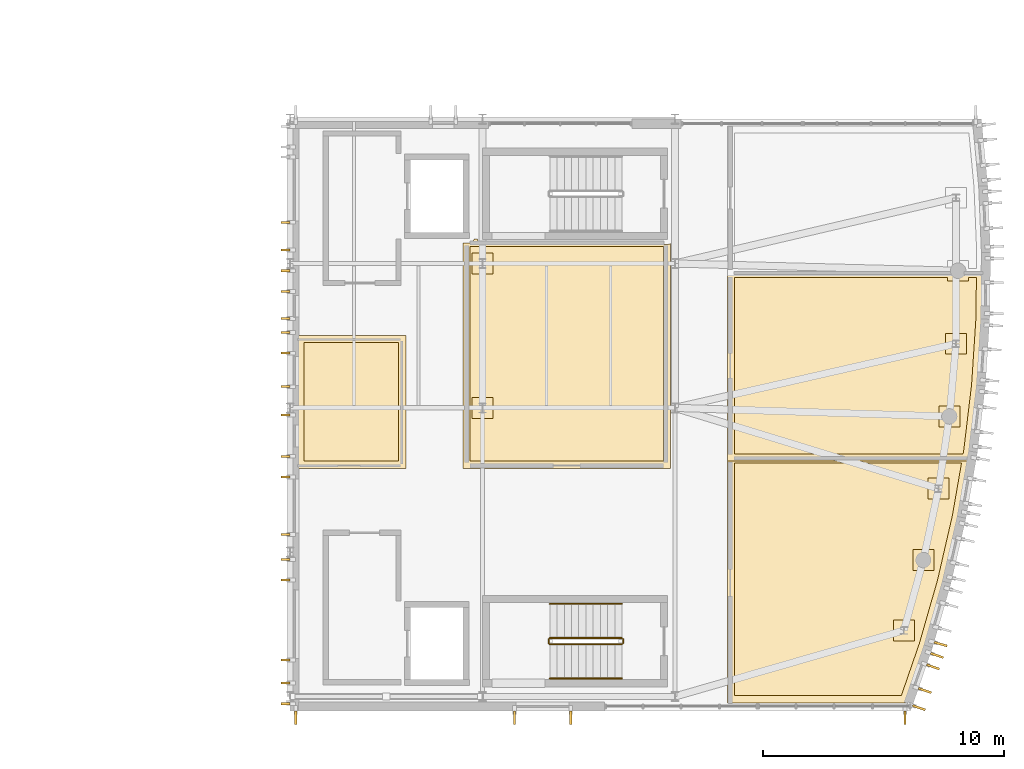
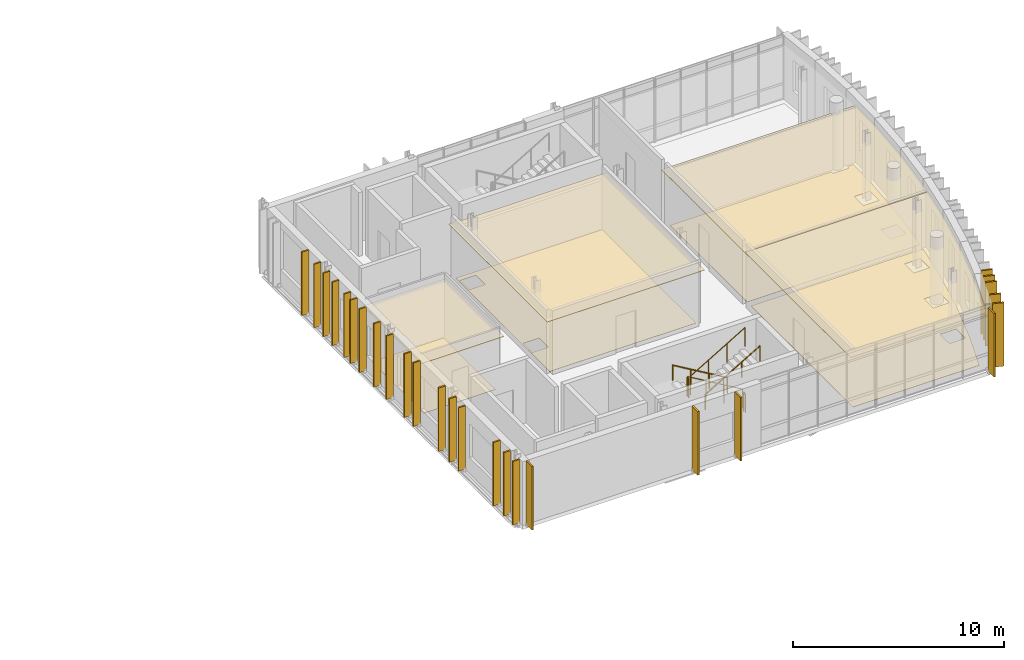
# One storey, part 26 of 28: 34 coverings, 6 railings.
"""IFC4 building model written with IfcOpenShell, lengths in metres."""

from ifc_helpers import new_model, si_unit, direction, frame, origin, origin_2d, place, context, subcontext, project, spatial, polyline, rectangle, circle, outline, extrude, material, layer, layer_set, type_object, element, save


model = new_model("IFC4")

# Units and contexts
model_context = context("Model", 3, precision=1e-05, world=origin(), true_north=direction((0.0, 1.0)))
body_context = subcontext(model_context, "Body", "Model", "MODEL_VIEW")
ifc_project = project(units=[si_unit("LENGTHUNIT", "METRE"), si_unit("AREAUNIT", "SQUARE_METRE"), si_unit("VOLUMEUNIT", "CUBIC_METRE"), si_unit("PLANEANGLEUNIT", "RADIAN"), si_unit("MASSUNIT", "GRAM", prefix="KILO")], contexts=[model_context])

# Site, building, storey
site_placement = place(None, origin())
site = spatial("IfcSite", under=ifc_project, at=site_placement, CompositionType="ELEMENT")
building_placement = place(site_placement, origin())
building = spatial("IfcBuilding", under=site, at=building_placement, Name="Cymarion Research Institute", CompositionType="ELEMENT")
storey_placement = place(building_placement, frame((0.0, 0.0, 30.60009765625)))
storey = spatial("IfcBuildingStorey", under=building, at=storey_placement, Name="L07", CompositionType="ELEMENT", Elevation=30.60009765625)

# Coverings
ifc_material_1 = material(Name="Micro-perforated mineral acoustic ceiling tile", Category="gypsum")
ifc_layer_1 = layer(ifc_material_1, 0.030029296875)
ifc_layer_set_1 = layer_set([ifc_layer_1], Name="Micro-perforated mineral acoustic ceiling tile")
covering_type_1 = type_object("IfcCoveringType", Name="ACOUSTIC MICRO-PERFORATED SUSPENDED CEILING CLG-01", PredefinedType="CEILING", material=ifc_layer_set_1)
covering_1_placement = place(storey_placement, frame((0.0, 0.0, 3.14990234375)))
element("IfcCovering", 1, at=covering_1_placement, inside=storey, type_object=covering_type_1, Name="L07 L07 Computational Biology Write-Up Studio acoustic ceiling", PredefinedType="CEILING", context=body_context, shape_type="SweptSolid", body=[
    extrude(outline(polyline([(143.4150390625, 20.514892578125), (143.4150390625, 14.985107421875), (138.885009765625, 14.985107421875), (138.885009765625, 20.514892578125), (143.4150390625, 20.514892578125)])), origin(), (0.0, 0.0, 1.0), 0.030029296875),
])
covering_2_placement = place(storey_placement, frame((0.0, 0.0, 3.14990234375)))
element("IfcCovering", 2, at=covering_2_placement, inside=storey, type_object=covering_type_1, Name="L07 L07 High-Throughput Screening & Cell Culture Lab acoustic ceiling", PredefinedType="CEILING", context=body_context, shape_type="SweptSolid", body=[
    extrude(outline(polyline([(146.39990234375, 24.514892578125), (146.39990234375, 24.5), (146.40087890625, 24.48046875), (146.40380859375, 24.4609375), (146.40869140625, 24.44189453125), (146.415283203125, 24.423583984375), (146.423583984375, 24.40576171875), (146.43359375, 24.388916015625), (146.4453125, 24.373046875), (146.45849609375, 24.358642578125), (146.47314453125, 24.345458984375), (146.489013671875, 24.333740234375), (146.505615234375, 24.323486328125), (146.5234375, 24.315185546875), (146.5419921875, 24.30859375), (146.56103515625, 24.3037109375), (146.580322265625, 24.301025390625), (146.60009765625, 24.300048828125), (154.300048828125, 24.300048828125), (154.319580078125, 24.301025390625), (154.339111328125, 24.3037109375), (154.358154296875, 24.30859375), (154.37646484375, 24.315185546875), (154.394287109375, 24.323486328125), (154.4111328125, 24.333740234375), (154.4150390625, 24.336669921875), (154.4150390625, 14.985107421875), (145.784912109375, 14.985107421875), (145.784912109375, 24.35009765625), (146.050048828125, 24.35009765625), (146.069580078125, 24.35107421875), (146.089111328125, 24.353759765625), (146.108154296875, 24.358642578125), (146.12646484375, 24.365234375), (146.144287109375, 24.37353515625), (146.1611328125, 24.3837890625), (146.177001953125, 24.3955078125), (146.19140625, 24.40869140625), (146.20458984375, 24.423095703125), (146.21630859375, 24.43896484375), (146.226318359375, 24.455810546875), (146.23486328125, 24.473388671875), (146.241455078125, 24.491943359375), (146.24609375, 24.510986328125), (146.246826171875, 24.514892578125), (146.39990234375, 24.514892578125)])), origin(), (0.0, 0.0, 1.0), 0.030029296875),
])
covering_3_placement = place(storey_placement, frame((0.0, 0.0, 3.14990234375)))
element("IfcCovering", 3, at=covering_3_placement, inside=storey, type_object=covering_type_1, Name="L07 L07 Tower Wet Biochemistry & Proteomics Laboratory acoustic ceiling", PredefinedType="CEILING", context=body_context, shape_type="SweptSolid", body=[
    extrude(outline(polyline([(166.873046875, 15.514892578125), (166.427734375, 12.961181640625), (165.808349609375, 10.266845703125), (165.0458984375, 7.609619140625), (164.224853515625, 5.235107421875), (156.784912109375, 5.235107421875), (156.784912109375, 15.514892578125), (166.873046875, 15.514892578125)])), origin(), (0.0, 0.0, 1.0), 0.030029296875),
])
covering_4_placement = place(storey_placement, frame((0.0, 0.0, 3.14990234375)))
element("IfcCovering", 4, at=covering_4_placement, inside=storey, type_object=covering_type_1, Name="L07 L07 Confocal Microscopy & Genomics Laboratory acoustic ceiling", PredefinedType="CEILING", context=body_context, shape_type="SweptSolid", body=[
    extrude(outline(polyline([(166.241455078125, 23.215087890625), (166.241455078125, 23.06494140625), (166.511474609375, 23.06494140625), (166.511474609375, 23.215087890625), (167.43701171875, 23.215087890625), (167.412109375, 21.18798828125), (167.23095703125, 18.429443359375), (166.902587890625, 15.6845703125), (166.8330078125, 15.284912109375), (156.784912109375, 15.284912109375), (156.784912109375, 23.215087890625), (166.241455078125, 23.215087890625)])), origin(), (0.0, 0.0, 1.0), 0.030029296875),
])
ifc_material_2 = material(Name="Precast concrete C45/55 architectural white", Category="concrete")
ifc_layer_2 = layer(ifc_material_2, 0.090087890625)
ifc_layer_set_2 = layer_set([ifc_layer_2], Name="Precast concrete C45/55 architectural white")
covering_type_2 = type_object("IfcCoveringType", Name="ARCHITECTURAL WHITE PRECAST CONCRETE VERTICAL FIN FIN1 560MM", PredefinedType="CLADDING", material=ifc_layer_set_2)
for number, where, z_axis, x_axis, name in (
    (5, (138.840087890625, 4.617919921875, 0.009765625), (0.0, 0.0, 1.0), (0.0, -1.0, 0.0), "L07 V1 white precast vertical fin FIN1 #667"),
    (6, (147.930908203125, 4.617919921875, 0.009765625), (0.0, 0.0, 1.0), (0.0, -1.0, 0.0), "L07 V1 white precast vertical fin FIN1 #668"),
    (7, (150.27099609375, 4.617919921875, 0.009765625), (0.0, 0.0, 1.0), (0.0, -1.0, 0.0), "L07 V1 white precast vertical fin FIN1 #669"),
    (8, (164.159912109375, 4.617919921875, 0.009765625), (0.0, 0.0, 1.0), (0.0, -1.0, 0.0), "L07 V1 white precast vertical fin FIN1 #670"),
    (9, (164.744873046875, 5.03466796875, 0.009765625), (0.0, 0.0, 1.0), (0.945120113509, -0.326723080054, 0.0), "L07 V1 white precast vertical fin FIN1 #671"),
    (10, (164.991943359375, 5.748779296875, 0.009765625), (0.0, 0.0, 1.0), (0.945120113509, -0.326723080054, 0.0), "L07 V1 white precast vertical fin FIN1 #672"),
    (11, (165.331787109375, 6.731689453125, 0.009765625), (0.0, 0.0, 1.0), (0.945120113509, -0.326723080054, 0.0), "L07 V1 white precast vertical fin FIN1 #673"),
    (12, (165.496337890625, 7.20751953125, 0.009765625), (0.0, 0.0, 1.0), (0.945120113509, -0.326723080054, 0.0), "L07 V1 white precast vertical fin FIN1 #674"),
    (13, (165.6455078125, 7.679443359375, 0.009765625), (0.0, 0.0, 1.0), (0.961213573504, -0.275805123434, 0.0), "L07 V1 white precast vertical fin FIN1 #675"),
):
    element("IfcCovering", number, at=place(storey_placement, frame(where, z_axis=z_axis, x_axis=x_axis)), inside=storey, type_object=covering_type_2, Name=name, PredefinedType="CLADDING", context=body_context, shape_type="SweptSolid", body=[
        extrude(rectangle(XDim=0.56005859375, YDim=0.090087890625, at=origin_2d()), origin(), (0.0, 0.0, 1.0), 3.679931640625),
    ])
ifc_layer_3 = layer(ifc_material_2, 0.0849609375)
ifc_layer_set_3 = layer_set([ifc_layer_3], Name="Precast concrete C45/55 architectural white")
covering_type_3 = type_object("IfcCoveringType", Name="ARCHITECTURAL WHITE PRECAST CONCRETE VERTICAL FIN FIN3 380MM", PredefinedType="CLADDING", material=ifc_layer_set_3)
for number, where, z_axis, x_axis, name in (
    (14, (138.407958984375, 25.214111328125, 0.009765625), (0.0, 0.0, 1.0), (-1.0, 0.0, 0.0), "L07 V1 white precast vertical fin FIN3 #712"),
    (15, (138.407958984375, 24.05712890625, 0.009765625), (0.0, 0.0, 1.0), (-1.0, 0.0, 0.0), "L07 V1 white precast vertical fin FIN3 #713"),
    (16, (138.407958984375, 23.199951171875, 0.009765625), (0.0, 0.0, 1.0), (-1.0, 0.0, 0.0), "L07 V1 white precast vertical fin FIN3 #714"),
    (17, (138.407958984375, 22.343017578125, 0.009765625), (0.0, 0.0, 1.0), (-1.0, 0.0, 0.0), "L07 V1 white precast vertical fin FIN3 #715"),
    (18, (138.407958984375, 21.2099609375, 0.009765625), (0.0, 0.0, 1.0), (-1.0, 0.0, 0.0), "L07 V1 white precast vertical fin FIN3 #716"),
    (19, (138.407958984375, 20.628662109375, 0.009765625), (0.0, 0.0, 1.0), (-1.0, 0.0, 0.0), "L07 V1 white precast vertical fin FIN3 #717"),
    (20, (138.407958984375, 19.771484375, 0.009765625), (0.0, 0.0, 1.0), (-1.0, 0.0, 0.0), "L07 V1 white precast vertical fin FIN3 #718"),
    (21, (138.407958984375, 18.3798828125, 0.009765625), (0.0, 0.0, 1.0), (-1.0, 0.0, 0.0), "L07 V1 white precast vertical fin FIN3 #719"),
    (22, (138.407958984375, 17.199951171875, 0.009765625), (0.0, 0.0, 1.0), (-1.0, 0.0, 0.0), "L07 V1 white precast vertical fin FIN3 #720"),
    (23, (138.407958984375, 15.485595703125, 0.009765625), (0.0, 0.0, 1.0), (-1.0, 0.0, 0.0), "L07 V1 white precast vertical fin FIN3 #721"),
    (24, (138.407958984375, 14.628662109375, 0.009765625), (0.0, 0.0, 1.0), (-1.0, 0.0, 0.0), "L07 V1 white precast vertical fin FIN3 #722"),
    (25, (138.407958984375, 12.235107421875, 0.009765625), (0.0, 0.0, 1.0), (-1.0, 0.0, 0.0), "L07 V1 white precast vertical fin FIN3 #723"),
    (26, (138.407958984375, 11.199951171875, 0.009765625), (0.0, 0.0, 1.0), (-1.0, 0.0, 0.0), "L07 V1 white precast vertical fin FIN3 #724"),
    (27, (138.407958984375, 10.343017578125, 0.009765625), (0.0, 0.0, 1.0), (-1.0, 0.0, 0.0), "L07 V1 white precast vertical fin FIN3 #725"),
    (28, (138.407958984375, 7.02490234375, 0.009765625), (0.0, 0.0, 1.0), (-1.0, 0.0, 0.0), "L07 V1 white precast vertical fin FIN3 #726"),
    (29, (138.407958984375, 6.05712890625, 0.009765625), (0.0, 0.0, 1.0), (-1.0, 0.0, 0.0), "L07 V1 white precast vertical fin FIN3 #727"),
    (30, (138.407958984375, 5.199951171875, 0.009765625), (0.0, 0.0, 1.0), (-1.0, 0.0, 0.0), "L07 V1 white precast vertical fin FIN3 #728"),
):
    element("IfcCovering", number, at=place(storey_placement, frame(where, z_axis=z_axis, x_axis=x_axis)), inside=storey, type_object=covering_type_3, Name=name, PredefinedType="CLADDING", context=body_context, shape_type="SweptSolid", body=[
        extrude(rectangle(XDim=0.3798828125, YDim=0.0849609375, at=origin_2d()), origin(), (0.0, 0.0, 1.0), 3.679931640625),
    ])

# Railings
ifc_material_3 = material(Name="Steel S355", Category="steel")
railing_type_1 = type_object("IfcRailingType", Name="PAINTED STEEL STAIR GUARDRAIL GR1 1100MM", PredefinedType="GUARDRAIL", material=ifc_material_3)
railing_1_placement = place(storey_placement, frame((152.39990234375, 7.929931640625, 0.17724609375)))
element("IfcRailing", 31, at=railing_1_placement, inside=storey, type_object=railing_type_1, Name="L07 ST1 stair guard 1", PredefinedType="GUARDRAIL", context=body_context, shape_type="SweptSolid", body=[
    extrude(circle(Radius=0.02392578125, at=origin_2d()), frame((0.0, 0.0, 1.076171875), z_axis=(-0.86092931783, 0.0, 0.508724591208), x_axis=(0.0, -1.0, 0.0)), (0.0, 0.0, 1.0), 3.484619140625),
    extrude(circle(Radius=0.02099609375, at=origin_2d()), origin(), (0.0, 0.0, 1.0), 1.052001953125),
    extrude(circle(Radius=0.02099609375, at=origin_2d()), frame((-1.0, 0.0, 0.5908203125)), (0.0, 0.0, 1.0), 1.052001953125),
    extrude(circle(Radius=0.02099609375, at=origin_2d()), frame((-2.0, 0.0, 1.181884765625)), (0.0, 0.0, 1.0), 1.052001953125),
    extrude(circle(Radius=0.02099609375, at=origin_2d()), frame((-3.0, 0.0, 1.772705078125)), (0.0, 0.0, 1.0), 1.052001953125),
])
railing_2_placement = place(storey_placement, frame((149.35009765625, 7.8798828125, 1.949951171875)))
element("IfcRailing", 32, at=railing_2_placement, inside=storey, type_object=railing_type_1, Name="L07 ST1 stair guard 2", PredefinedType="GUARDRAIL", context=body_context, shape_type="SweptSolid", body=[
    extrude(circle(Radius=0.02392578125, at=origin_2d()), frame((0.0, 0.0, 1.076171875), z_axis=(0.0, -1.0, 0.0), x_axis=(1.0, 0.0, 0.0)), (0.0, 0.0, 1.0), 0.159912109375),
    extrude(circle(Radius=0.02099609375, at=origin_2d()), origin(), (0.0, 0.0, 1.0), 1.052001953125),
    extrude(circle(Radius=0.02099609375, at=origin_2d()), frame((0.0, -0.159912109375, 0.0)), (0.0, 0.0, 1.0), 1.052001953125),
])
railing_3_placement = place(storey_placement, frame((149.39990234375, 7.669921875, 2.127197265625)))
element("IfcRailing", 33, at=railing_3_placement, inside=storey, type_object=railing_type_1, Name="L07 ST1 stair guard 3", PredefinedType="GUARDRAIL", context=body_context, shape_type="SweptSolid", body=[
    extrude(circle(Radius=0.02392578125, at=origin_2d()), frame((0.0, 0.0, 1.076171875), z_axis=(0.86092931783, 0.0, 0.508724591208), x_axis=(0.0, 1.0, 0.0)), (0.0, 0.0, 1.0), 3.484619140625),
    extrude(circle(Radius=0.02099609375, at=origin_2d()), origin(), (0.0, 0.0, 1.0), 1.052001953125),
    extrude(circle(Radius=0.02099609375, at=origin_2d()), frame((1.0, 0.0, 0.5908203125)), (0.0, 0.0, 1.0), 1.052001953125),
    extrude(circle(Radius=0.02099609375, at=origin_2d()), frame((2.0, 0.0, 1.181884765625)), (0.0, 0.0, 1.0), 1.052001953125),
    extrude(circle(Radius=0.02099609375, at=origin_2d()), frame((3.0, 0.0, 1.772705078125)), (0.0, 0.0, 1.0), 1.052001953125),
])
railing_4_placement = place(storey_placement, frame((152.449951171875, 7.8798828125, 0.0)))
element("IfcRailing", 34, at=railing_4_placement, inside=storey, type_object=railing_type_1, Name="L07 ST1 stair guard 4", PredefinedType="GUARDRAIL", context=body_context, shape_type="SweptSolid", body=[
    extrude(circle(Radius=0.02392578125, at=origin_2d()), frame((0.0, 0.0, 1.076171875), z_axis=(0.0, -1.0, 0.0), x_axis=(1.0, 0.0, 0.0)), (0.0, 0.0, 1.0), 0.159912109375),
    extrude(circle(Radius=0.02099609375, at=origin_2d()), origin(), (0.0, 0.0, 1.0), 1.052001953125),
    extrude(circle(Radius=0.02099609375, at=origin_2d()), frame((0.0, -0.159912109375, 0.0)), (0.0, 0.0, 1.0), 1.052001953125),
])

# Coverings
ifc_material_4 = material(Name="Seamless dissipative epoxy resin flooring", Category="resin")
ifc_layer_4 = layer(ifc_material_4, 0.02001953125)
ifc_layer_set_4 = layer_set([ifc_layer_4], Name="Seamless dissipative epoxy resin flooring")
covering_type_4 = type_object("IfcCoveringType", Name="SEAMLESS ESD EPOXY LABORATORY FLOORING FLR-01", PredefinedType="FLOORING", material=ifc_layer_set_4)
covering_5_placement = place(storey_placement, origin())
element("IfcCovering", 35, at=covering_5_placement, inside=storey, type_object=covering_type_4, Name="L07 L07 Computational Biology Write-Up Studio ESD epoxy flooring", PredefinedType="FLOORING", context=body_context, shape_type="SweptSolid", body=[
    extrude(outline(polyline([(139.18505859375, 20.215087890625), (143.114990234375, 20.215087890625), (143.114990234375, 15.284912109375), (139.18505859375, 15.284912109375), (139.18505859375, 20.215087890625)])), origin(), (0.0, 0.0, 1.0), 0.02001953125),
])
covering_6_placement = place(storey_placement, origin())
element("IfcCovering", 36, at=covering_6_placement, inside=storey, type_object=covering_type_4, Name="L07 L07 High-Throughput Screening & Cell Culture Lab ESD epoxy flooring", PredefinedType="FLOORING", context=body_context, shape_type="SweptSolid", body=[
    extrude(outline(polyline([(146.0849609375, 24.215087890625), (154.114990234375, 24.215087890625), (154.114990234375, 15.284912109375), (146.0849609375, 15.284912109375), (146.0849609375, 24.215087890625)]), holes=[polyline([(146.1650390625, 17.06494140625), (147.034912109375, 17.06494140625), (147.034912109375, 17.93505859375), (146.1650390625, 17.93505859375), (146.1650390625, 17.06494140625)]), polyline([(146.1650390625, 23.06494140625), (147.034912109375, 23.06494140625), (147.034912109375, 23.93505859375), (146.1650390625, 23.93505859375), (146.1650390625, 23.06494140625)])]), origin(), (0.0, 0.0, 1.0), 0.02001953125),
])
covering_7_placement = place(storey_placement, origin())
element("IfcCovering", 37, at=covering_7_placement, inside=storey, type_object=covering_type_4, Name="L07 L07 Tower Wet Biochemistry & Proteomics Laboratory ESD epoxy flooring", PredefinedType="FLOORING", context=body_context, shape_type="SweptSolid", body=[
    extrude(outline(polyline([(157.0849609375, 15.215087890625), (166.51611328125, 15.215087890625), (166.1337890625, 13.0205078125), (165.517822265625, 10.341796875), (164.759765625, 7.699951171875), (164.01123046875, 5.534912109375), (157.0849609375, 5.534912109375), (157.0849609375, 15.215087890625)]), holes=[polyline([(165.125, 13.70654296875), (165.994873046875, 13.70654296875), (165.994873046875, 14.576416015625), (165.125, 14.576416015625), (165.125, 13.70654296875)]), polyline([(164.492919921875, 10.73779296875), (165.36279296875, 10.73779296875), (165.36279296875, 11.607666015625), (164.492919921875, 11.607666015625), (164.492919921875, 10.73779296875)]), polyline([(163.68408203125, 7.81201171875), (164.553955078125, 7.81201171875), (164.553955078125, 8.681884765625), (163.68408203125, 8.681884765625), (163.68408203125, 7.81201171875)])]), origin(), (0.0, 0.0, 1.0), 0.02001953125),
])
covering_8_placement = place(storey_placement, origin())
element("IfcCovering", 38, at=covering_8_placement, inside=storey, type_object=covering_type_4, Name="L07 L07 Confocal Microscopy & Genomics Laboratory ESD epoxy flooring", PredefinedType="FLOORING", context=body_context, shape_type="SweptSolid", body=[
    extrude(outline(polyline([(157.0849609375, 22.9150390625), (165.94140625, 22.9150390625), (165.94140625, 22.764892578125), (166.8115234375, 22.764892578125), (166.8115234375, 22.9150390625), (167.13330078125, 22.9150390625), (167.1123046875, 21.19970703125), (166.93212890625, 18.45703125), (166.605712890625, 15.728271484375), (166.58056640625, 15.5849609375), (157.0849609375, 15.5849609375), (157.0849609375, 22.9150390625)]), holes=[polyline([(165.8505859375, 19.73095703125), (166.720458984375, 19.73095703125), (166.720458984375, 20.60107421875), (165.8505859375, 20.60107421875), (165.8505859375, 19.73095703125)]), polyline([(165.577880859375, 16.707763671875), (166.447998046875, 16.707763671875), (166.447998046875, 17.577880859375), (165.577880859375, 17.577880859375), (165.577880859375, 16.707763671875)])]), origin(), (0.0, 0.0, 1.0), 0.02001953125),
])

# Railings
railing_type_2 = type_object("IfcRailingType", Name="STAINLESS STEEL STAIR HANDRAIL HR1 900MM", PredefinedType="HANDRAIL", material=ifc_material_3)
railing_5_placement = place(storey_placement, frame((152.39990234375, 9.35009765625, 0.17724609375)))
element("IfcRailing", 39, at=railing_5_placement, inside=storey, type_object=railing_type_2, Name="L07 ST1 stair handrail 1", PredefinedType="HANDRAIL", context=body_context, shape_type="SweptSolid", body=[
    extrude(circle(Radius=0.02392578125, at=origin_2d()), frame((0.0, 0.0, 0.8759765625), z_axis=(-0.86092931783, 0.0, 0.508724591208), x_axis=(0.0, -1.0, 0.0)), (0.0, 0.0, 1.0), 3.484619140625),
    extrude(circle(Radius=0.02099609375, at=origin_2d()), origin(), (0.0, 0.0, 1.0), 0.851806640625),
    extrude(circle(Radius=0.02099609375, at=origin_2d()), frame((-1.0, 0.0, 0.5908203125)), (0.0, 0.0, 1.0), 0.851806640625),
    extrude(circle(Radius=0.02099609375, at=origin_2d()), frame((-2.0, 0.0, 1.181884765625)), (0.0, 0.0, 1.0), 0.851806640625),
    extrude(circle(Radius=0.02099609375, at=origin_2d()), frame((-3.0, 0.0, 1.772705078125)), (0.0, 0.0, 1.0), 0.851806640625),
])
railing_6_placement = place(storey_placement, frame((149.39990234375, 6.25, 2.127197265625)))
element("IfcRailing", 40, at=railing_6_placement, inside=storey, type_object=railing_type_2, Name="L07 ST1 stair handrail 2", PredefinedType="HANDRAIL", context=body_context, shape_type="SweptSolid", body=[
    extrude(circle(Radius=0.02392578125, at=origin_2d()), frame((0.0, 0.0, 0.8759765625), z_axis=(0.86092931783, 0.0, 0.508724591208), x_axis=(0.0, 1.0, 0.0)), (0.0, 0.0, 1.0), 3.484619140625),
    extrude(circle(Radius=0.02099609375, at=origin_2d()), origin(), (0.0, 0.0, 1.0), 0.851806640625),
    extrude(circle(Radius=0.02099609375, at=origin_2d()), frame((1.0, 0.0, 0.5908203125)), (0.0, 0.0, 1.0), 0.851806640625),
    extrude(circle(Radius=0.02099609375, at=origin_2d()), frame((2.0, 0.0, 1.181884765625)), (0.0, 0.0, 1.0), 0.851806640625),
    extrude(circle(Radius=0.02099609375, at=origin_2d()), frame((3.0, 0.0, 1.772705078125)), (0.0, 0.0, 1.0), 0.851806640625),
])

save(model, "model.ifc")
